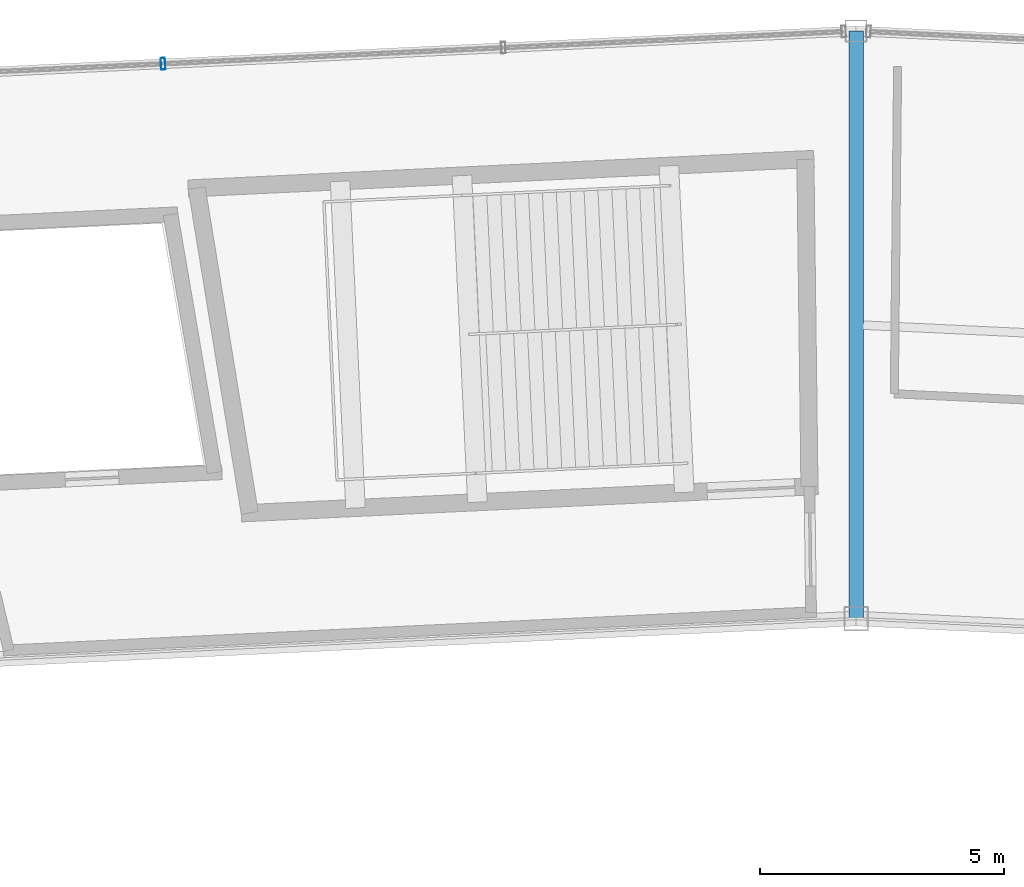
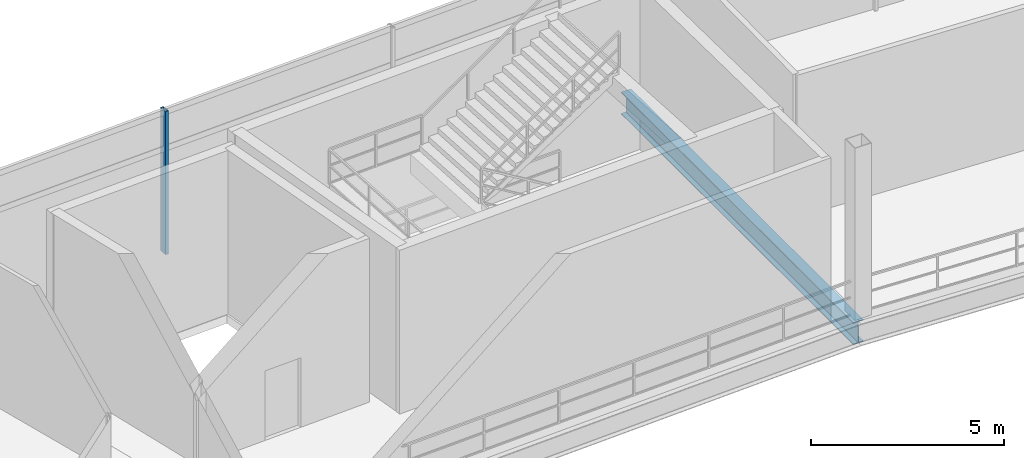
# One storey, part 57 of 103: 1 beam, 1 member, 1 element without a shape of its own.
"""IFC4 building model written with IfcOpenShell, lengths in metres."""

from ifc_helpers import new_model, si_unit, direction, frame, origin, origin_2d, place, context, subcontext, project, spatial, hollow_rectangle, i_section, extrude, material, layer, layer_set, material_profile, profile_set, type_object, element, aggregate, save


model = new_model("IFC4")

# Units and contexts
model_context = context("Model", 3, precision=1e-05, world=origin(), true_north=direction((0.0, 1.0)))
body_context = subcontext(model_context, "Body", "Model", "MODEL_VIEW")
ifc_project = project(units=[si_unit("LENGTHUNIT", "METRE"), si_unit("AREAUNIT", "SQUARE_METRE"), si_unit("VOLUMEUNIT", "CUBIC_METRE"), si_unit("PLANEANGLEUNIT", "RADIAN"), si_unit("MASSUNIT", "GRAM", prefix="KILO")], contexts=[model_context])

# Site, building, storey
site_placement = place(None, origin())
site = spatial("IfcSite", under=ifc_project, at=site_placement, CompositionType="ELEMENT")
building_placement = place(site_placement, origin())
building = spatial("IfcBuilding", under=site, at=building_placement, Name="Kazemori Nagisa Stadium", CompositionType="ELEMENT")
storey_placement = place(building_placement, frame((0.0, 0.0, 25.840087890625)))
storey = spatial("IfcBuildingStorey", under=building, at=storey_placement, Name="L05", CompositionType="ELEMENT", Elevation=25.840087890625)

# Beam
ifc_material_1 = material(Name="Steel SN490B", Category="steel")
ifc_material_profile_1 = material_profile(ifc_material_1, i_section(OverallWidth=0.300048828125, OverallDepth=0.699951171875, WebThickness=0.012939453125, FlangeThickness=0.02392578125, FilletRadius=0.01806640625, at=origin_2d()), Name="H-700x300x13x24")
ifc_profile_set_1 = profile_set([ifc_material_profile_1], Name="Steel SN490B")
beam_type = type_object("IfcBeamType", Name="Beam_BG-H700", PredefinedType="BEAM", material=ifc_profile_set_1)
beam_placement = place(storey_placement, frame((123.0, 175.9599609375, -0.610107421875), z_axis=(0.0, 1.0, 0.0), x_axis=(-1.0, 0.0, 0.0)))
element("IfcBeam", 1, at=beam_placement, inside=storey, type_object=beam_type, Name="Radial girder BG-H700 L05 R2-R3-08", PredefinedType="BEAM", context=body_context, shape_type="SweptSolid", body=[
    extrude(i_section(OverallWidth=0.300048828125, OverallDepth=0.699951171875, WebThickness=0.012939453125, FlangeThickness=0.02392578125, FilletRadius=0.01806640625, at=origin_2d()), origin(), (0.0, 0.0, 1.0), 12.0400390625),
])

# Curtain wall, member
ifc_material_2 = material(Name="Anodised aluminium 6063-T5", Category="aluminium")
ifc_layer = layer(ifc_material_2, 0.239990234375, Name="Anodised aluminium 6063-T5", Category="aluminium")
ifc_layer_set = layer_set([ifc_layer], Name="Anodised aluminium 6063-T5")
curtain_wall_type = type_object("IfcCurtainWallType", Name="CW_L05R3_105", PredefinedType="USERDEFINED", material=ifc_layer_set)
curtain_wall_placement = place(storey_placement, origin())
curtain_wall = element("IfcCurtainWall", 2, at=curtain_wall_placement, inside=storey, type_object=curtain_wall_type, Name="Unitised curtain wall CW-L05R3-105 L05", ObjectType="UNITISED CURTAIN WALL", PredefinedType="USERDEFINED")
ifc_material_3 = material(Name="Aluminium 6063-T5 anodised", Category="aluminium")
ifc_material_profile_2 = material_profile(ifc_material_3, hollow_rectangle(XDim=0.090087890625, YDim=0.239990234375, WallThickness=0.0048828125, at=origin_2d()), Name="ALU-MULL-90x240x5")
ifc_profile_set_2 = profile_set([ifc_material_profile_2], Name="Aluminium 6063-T5 anodised")
member_type = type_object("IfcMemberType", Name="Mullion_M03", PredefinedType="MULLION", material=ifc_profile_set_2)
member_placement = place(storey_placement, frame((108.7998046875, 187.32861328125, 0.0), z_axis=(0.0, 0.0, 1.0), x_axis=(-0.998884022476, -0.047230388971, 0.0)))
member = element("IfcMember", 3, at=member_placement, type_object=member_type, Name="Curtain wall mullion CW-L05R3-105-M3", PredefinedType="MULLION", context=body_context, shape_type="SweptSolid", body=[
    extrude(hollow_rectangle(XDim=0.090087890625, YDim=0.239990234375, WallThickness=0.0048828125, at=origin_2d()), origin(), (0.0, 0.0, 1.0), 4.530029296875),
])
aggregate(curtain_wall, [member])

save(model, "model.ifc")
